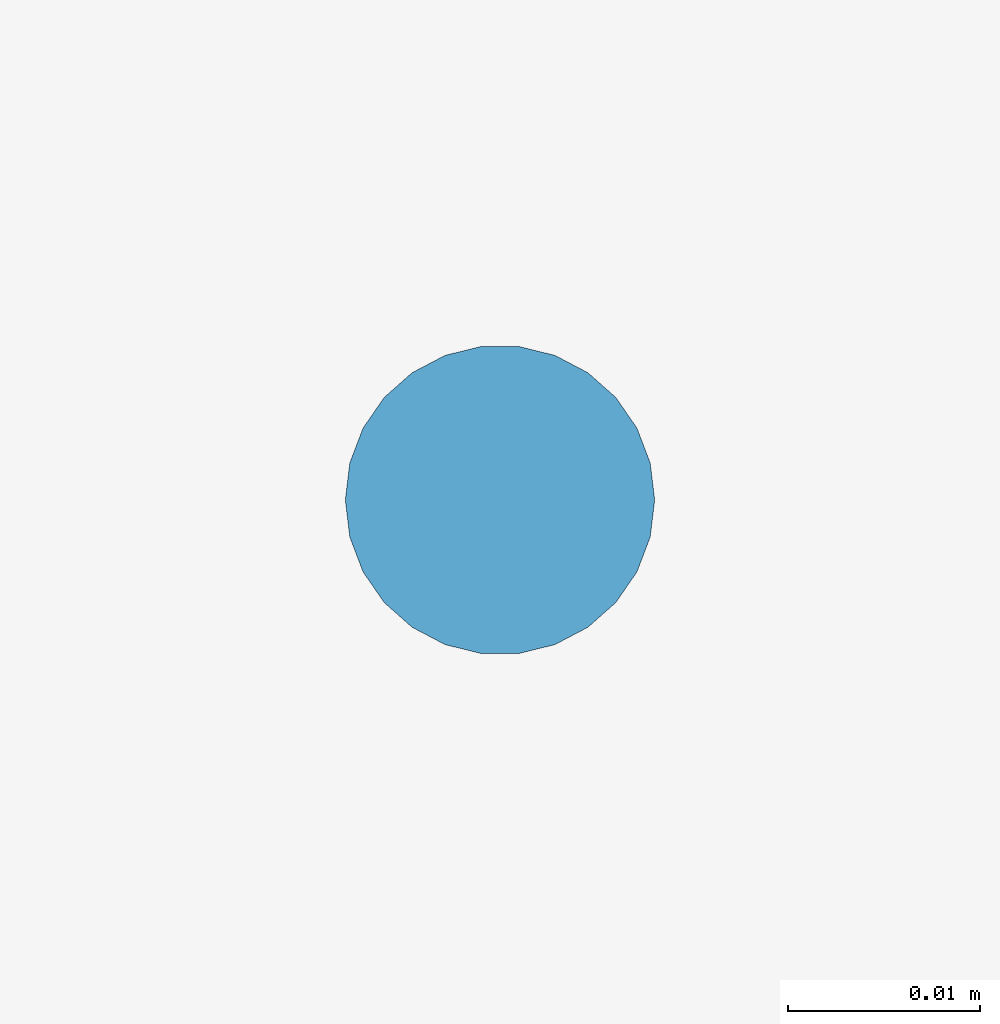
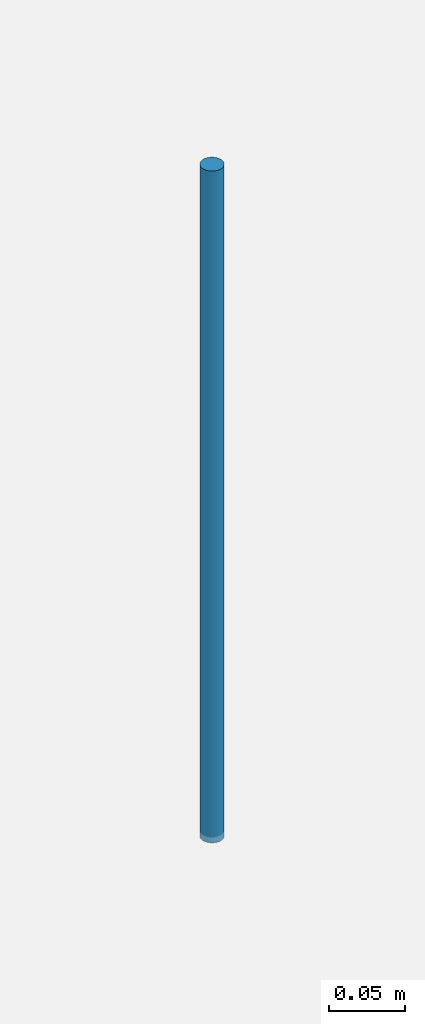
# One storey, part 66 of 82: 1 discrete accessory.
"""IFC4 building model written with IfcOpenShell, lengths in metres."""

from ifc_helpers import new_model, si_unit, direction, frame, origin, origin_2d, place, context, subcontext, project, spatial, circle, extrude, material, type_object, element, save


model = new_model("IFC4")

# Units and contexts
model_context = context("Model", 3, precision=1e-05, world=origin(), true_north=direction((0.0, 1.0)))
body_context = subcontext(model_context, "Body", "Model", "MODEL_VIEW")
ifc_project = project(units=[si_unit("LENGTHUNIT", "METRE"), si_unit("AREAUNIT", "SQUARE_METRE"), si_unit("VOLUMEUNIT", "CUBIC_METRE"), si_unit("PLANEANGLEUNIT", "RADIAN"), si_unit("MASSUNIT", "GRAM", prefix="KILO")], contexts=[model_context])

# Site, building, storey
site_placement = place(None, origin())
site = spatial("IfcSite", under=ifc_project, at=site_placement, CompositionType="ELEMENT")
building_placement = place(site_placement, origin())
building = spatial("IfcBuilding", under=site, at=building_placement, Name="Yukiwa Park Conservatory and Herbarium", CompositionType="ELEMENT")
storey_placement = place(building_placement, origin())
storey = spatial("IfcBuildingStorey", under=building, at=storey_placement, Name="L00", CompositionType="ELEMENT", Elevation=0.0)

# Discrete accessory
ifc_material = material(Name="Steel Q235B", Category="steel")
discrete_accessory_type = type_object("IfcDiscreteAccessoryType", Name="ACC-CEILING-HANGER", PredefinedType="BRACKET", material=ifc_material)
discrete_accessory_placement = place(storey_placement, frame((61.39990234375, 55.89990234375, 4.02490234375), z_axis=(0.0, 0.0, 1.0), x_axis=(1.0, 0.0, 0.0)))
element("IfcDiscreteAccessory", 1, at=discrete_accessory_placement, inside=storey, type_object=discrete_accessory_type, Name="Ceiling suspension hanger rod 1", PredefinedType="BRACKET", context=body_context, shape_type="SweptSolid", body=[
    extrude(circle(Radius=0.008056640625, at=origin_2d()), origin(), (0.0, 0.0, 1.0), 0.5400390625),
])

save(model, "model.ifc")
